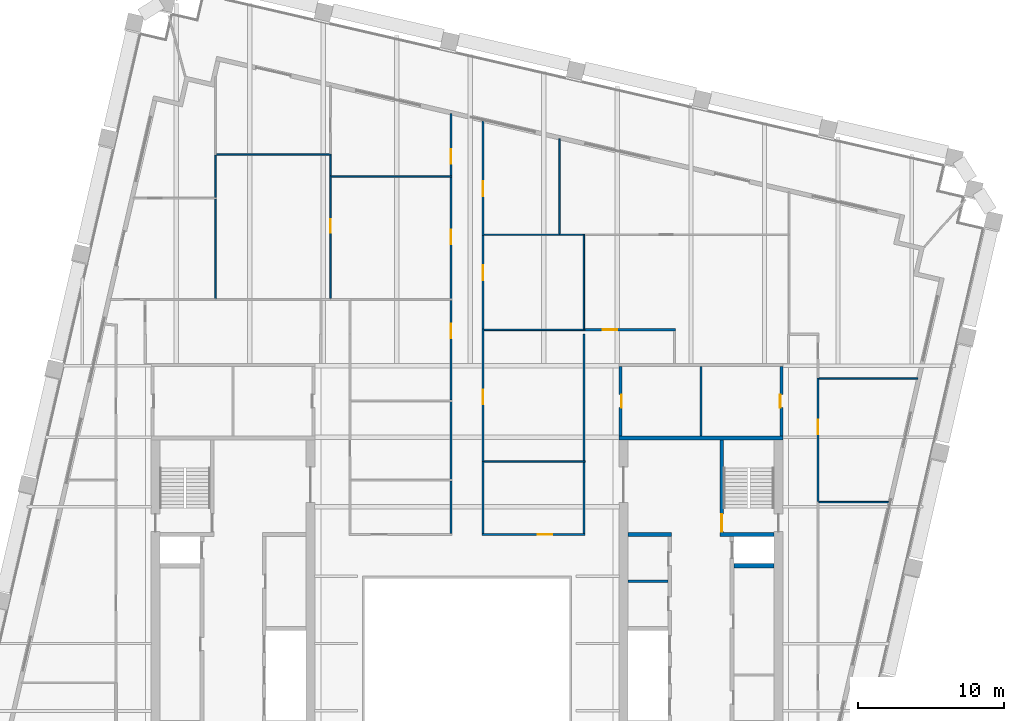
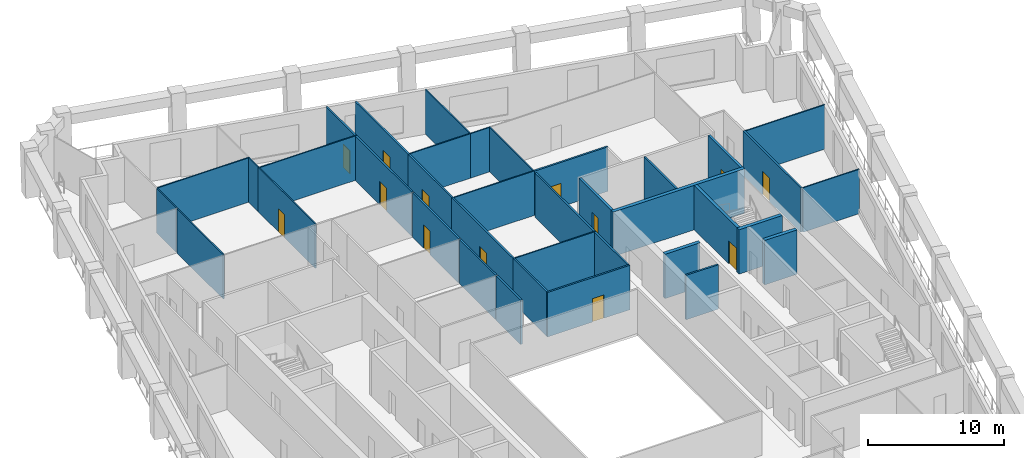
# One storey, part 8 of 11: 37 walls, 13 doors, 13 openings.
"""IFC4 building model written with IfcOpenShell, lengths in metres."""

from ifc_helpers import new_model, si_unit, direction, frame, frame_2d, origin, place, context, subcontext, project, spatial, rectangle, extrude, material, layer, layer_set, type_object, element, fill, save


model = new_model("IFC4")

# Units and contexts
model_context = context("Model", 3, precision=1e-05, world=origin(), true_north=direction((0.0, 1.0)))
body_context = subcontext(model_context, "Body", "Model", "MODEL_VIEW")
ifc_project = project(units=[si_unit("LENGTHUNIT", "METRE"), si_unit("AREAUNIT", "SQUARE_METRE"), si_unit("VOLUMEUNIT", "CUBIC_METRE"), si_unit("PLANEANGLEUNIT", "RADIAN"), si_unit("MASSUNIT", "GRAM", prefix="KILO")], contexts=[model_context])

# Site, building, storey
site_placement = place(None, origin())
site = spatial("IfcSite", under=ifc_project, at=site_placement, CompositionType="ELEMENT")
building_placement = place(site_placement, origin())
building = spatial("IfcBuilding", under=site, at=building_placement, Name="Ogive Exchange Tower", CompositionType="ELEMENT")
storey_placement = place(building_placement, frame((0.0, 0.0, 259.800048828125)))
storey = spatial("IfcBuildingStorey", under=building, at=storey_placement, Name="L56", CompositionType="ELEMENT", Elevation=259.800048828125)

# Walls
ifc_material_1 = material(Name="Gypsum board partition")
ifc_layer_1 = layer(ifc_material_1, 0.14990234375)
ifc_layer_set_1 = layer_set([ifc_layer_1], Name="Core room partition 150 gypsum")
wall_type_1 = type_object("IfcWallType", Name="Core room partition 150 gypsum", PredefinedType="PARTITIONING", material=ifc_layer_set_1)
wall_1_placement = place(storey_placement, frame((11.0, 15.800048828125, 0.0), z_axis=(0.0, 0.0, 1.0), x_axis=(1.0, 0.0, 0.0)))
element("IfcWall", 1, at=wall_1_placement, inside=storey, type_object=wall_type_1, Name="E row B bay partition 4-1", PredefinedType="PARTITIONING", context=body_context, shape_type="SweptSolid", body=[
    extrude(rectangle(XDim=2.75, YDim=0.14990234375, at=frame_2d((1.375, 0.0))), origin(), (0.0, 0.0, 1.0), 4.0),
])
wall_2_placement = place(storey_placement, frame((16.0, 25.75, 0.0), z_axis=(0.0, 0.0, 1.0), x_axis=(0.0, 1.0, 0.0)))
element("IfcWall", 2, at=wall_2_placement, inside=storey, type_object=wall_type_1, Name="E annex N column wall", PredefinedType="PARTITIONING", context=body_context, shape_type="SweptSolid", body=[
    extrude(rectangle(XDim=4.75, YDim=0.14990234375, at=frame_2d((2.375, 0.0))), origin(), (0.0, 0.0, 1.0), 4.0),
])
ifc_layer_2 = layer(ifc_material_1, 0.300048828125)
ifc_layer_set_2 = layer_set([ifc_layer_2], Name="Core room partition 300 gypsum")
wall_type_2 = type_object("IfcWallType", Name="Core room partition 300 gypsum", PredefinedType="PARTITIONING", material=ifc_layer_set_2)
wall_3_placement = place(storey_placement, frame((11.0, 19.0, 0.0), z_axis=(0.0, 0.0, 1.0), x_axis=(1.0, 0.0, 0.0)))
element("IfcWall", 3, at=wall_3_placement, inside=storey, type_object=wall_type_2, Name="E row B room end wall 7", PredefinedType="PARTITIONING", context=body_context, shape_type="SweptSolid", body=[
    extrude(rectangle(XDim=3.0, YDim=0.300048828125, at=frame_2d((1.5, 0.0))), origin(), (0.0, 0.0, 1.0), 4.0),
])
ifc_material_2 = material(Name="Fire partition EI 60 150")
ifc_layer_3 = layer(ifc_material_2, 0.14990234375)
ifc_layer_set_3 = layer_set([ifc_layer_3], Name="Fire partition EI 60 150")
wall_type_3 = type_object("IfcWallType", Name="Fire partition EI 60 150", PredefinedType="PARTITIONING", material=ifc_layer_set_3)
wall_4_placement = place(storey_placement, frame((-1.10009765625, 19.074951171875, 0.0), z_axis=(0.0, 0.0, 1.0), x_axis=(0.0, 1.0, 0.0)))
element("IfcWall", 4, at=wall_4_placement, inside=storey, type_object=wall_type_3, Name="L56-PWL-040", PredefinedType="PARTITIONING", context=body_context, shape_type="SweptSolid", body=[
    extrude(rectangle(XDim=3.594970703125, YDim=0.14990234375, at=frame_2d((1.79736328125, 0.0))), origin(), (0.0, 0.0, 1.0), 4.0),
])
wall_5_placement = place(storey_placement, frame((-1.10009765625, 22.77001953125, 0.0), z_axis=(0.0, 0.0, 1.0), x_axis=(0.0, 1.0, 0.0)))
element("IfcWall", 5, at=wall_5_placement, inside=storey, type_object=wall_type_3, Name="L56-PWL-041", PredefinedType="PARTITIONING", context=body_context, shape_type="SweptSolid", body=[
    extrude(rectangle(XDim=5.320068359375, YDim=0.14990234375, at=frame_2d((2.66015625, 0.0))), origin(), (0.0, 0.0, 1.0), 4.0),
])

# Wall, opening, door
wall_6_placement = place(storey_placement, frame((-1.10009765625, 28.18994140625, 0.0), z_axis=(0.0, 0.0, 1.0), x_axis=(0.0, 1.0, 0.0)))
wall_6 = element("IfcWall", 6, at=wall_6_placement, inside=storey, type_object=wall_type_3, Name="L56-PWL-042", PredefinedType="PARTITIONING", context=body_context, shape_type="SweptSolid", body=[
    extrude(rectangle(XDim=6.830078125, YDim=0.14990234375, at=frame_2d((3.4150390625, 0.0))), origin(), (0.0, 0.0, 1.0), 4.0),
])
opening_1_placement = place(wall_6_placement, frame((4.22998046875, 0.0, 0.0)))
opening_1 = element("IfcOpeningElement", 7, at=opening_1_placement, cuts=wall_6, Name="Opening L56-I06", PredefinedType="OPENING", context=body_context, shape_type="SweptSolid", body=[
    extrude(rectangle(XDim=1.0, YDim=2.10009765625, at=frame_2d((0.5, 1.050048828125))), frame((0.0, 0.0849609375, 0.0), z_axis=(0.0, -1.0, 0.0), x_axis=(1.0, 0.0, 0.0)), (0.0, 0.0, 1.0), 0.169921875),
])
ifc_material_3 = material(Name="Fire door FD 30S 1000 x 2100")
door_type_1 = type_object("IfcDoorType", Name="Fire door FD 30S 1000 x 2100", OperationType="NOTDEFINED", PredefinedType="DOOR", material=ifc_material_3)
door_1_placement = place(opening_1_placement, origin())
door_1 = element("IfcDoor", 8, at=door_1_placement, inside=storey, type_object=door_type_1, Name="L56-IDR-006", ObjectType="DT3", OperationType="SINGLE_SWING_LEFT", OverallHeight=2.10009765625, OverallWidth=1.0, PredefinedType="DOOR", context=body_context, shape_type="SweptSolid", body=[
    extrude(rectangle(XDim=1.0, YDim=2.10009765625, at=frame_2d((0.5, 1.050048828125))), frame((0.0, 0.02490234375, 0.0), z_axis=(0.0, -1.0, 0.0), x_axis=(1.0, 0.0, 0.0)), (0.0, 0.0, 1.0), 0.050048828125),
])
fill(opening_1, door_1)

wall_7_placement = place(storey_placement, frame((-1.10009765625, 35.1201171875, 0.0), z_axis=(0.0, 0.0, 1.0), x_axis=(0.0, 1.0, 0.0)))
wall_7 = element("IfcWall", 9, at=wall_7_placement, inside=storey, type_object=wall_type_3, Name="L56-PWL-043", PredefinedType="PARTITIONING", context=body_context, shape_type="SweptSolid", body=[
    extrude(rectangle(XDim=8.329833984375, YDim=0.14990234375, at=frame_2d((4.1650390625, 0.0))), origin(), (0.0, 0.0, 1.0), 4.0),
])
opening_2_placement = place(wall_7_placement, frame((3.72998046875, 0.0, 0.0)))
opening_2 = element("IfcOpeningElement", 10, at=opening_2_placement, cuts=wall_7, Name="Opening L56-I07", PredefinedType="OPENING", context=body_context, shape_type="SweptSolid", body=[
    extrude(rectangle(XDim=1.0, YDim=2.10009765625, at=frame_2d((0.5, 1.050048828125))), frame((0.0, 0.0849609375, 0.0), z_axis=(0.0, -1.0, 0.0), x_axis=(1.0, 0.0, 0.0)), (0.0, 0.0, 1.0), 0.169921875),
])
door_2_placement = place(opening_2_placement, origin())
door_2 = element("IfcDoor", 11, at=door_2_placement, inside=storey, type_object=door_type_1, Name="L56-IDR-007", ObjectType="DT3", OperationType="SINGLE_SWING_LEFT", OverallHeight=2.10009765625, OverallWidth=1.0, PredefinedType="DOOR", context=body_context, shape_type="SweptSolid", body=[
    extrude(rectangle(XDim=1.0, YDim=2.10009765625, at=frame_2d((0.5, 1.050048828125))), frame((0.0, 0.02490234375, 0.0), z_axis=(0.0, -1.0, 0.0), x_axis=(1.0, 0.0, 0.0)), (0.0, 0.0, 1.0), 0.050048828125),
])
fill(opening_2, door_2)

wall_8_placement = place(storey_placement, frame((-1.10009765625, 43.550048828125, 0.0), z_axis=(0.0, 0.0, 1.0), x_axis=(0.0, 1.0, 0.0)))
wall_8 = element("IfcWall", 12, at=wall_8_placement, inside=storey, type_object=wall_type_3, Name="L56-PWL-044", PredefinedType="PARTITIONING", context=body_context, shape_type="SweptSolid", body=[
    extrude(rectangle(XDim=4.22802734375, YDim=0.14990234375, at=frame_2d((2.114013671875, 0.0))), origin(), (0.0, 0.0, 1.0), 4.0),
])
opening_3_placement = place(wall_8_placement, frame((0.800048828125, 0.0, 0.0)))
opening_3 = element("IfcOpeningElement", 13, at=opening_3_placement, cuts=wall_8, Name="Opening L56-I08", PredefinedType="OPENING", context=body_context, shape_type="SweptSolid", body=[
    extrude(rectangle(XDim=1.0, YDim=2.10009765625, at=frame_2d((0.5, 1.050048828125))), frame((0.0, 0.0849609375, 0.0), z_axis=(0.0, -1.0, 0.0), x_axis=(1.0, 0.0, 0.0)), (0.0, 0.0, 1.0), 0.169921875),
])
door_3_placement = place(opening_3_placement, origin())
door_3 = element("IfcDoor", 14, at=door_3_placement, inside=storey, type_object=door_type_1, Name="L56-IDR-008", ObjectType="DT3", OperationType="SINGLE_SWING_RIGHT", OverallHeight=2.10009765625, OverallWidth=1.0, PredefinedType="DOOR", context=body_context, shape_type="SweptSolid", body=[
    extrude(rectangle(XDim=1.0, YDim=2.10009765625, at=frame_2d((0.5, 1.050048828125))), frame((0.0, 0.02490234375, 0.0), z_axis=(0.0, -1.0, 0.0), x_axis=(1.0, 0.0, 0.0)), (0.0, 0.0, 1.0), 0.050048828125),
])
fill(opening_3, door_3)

wall_9_placement = place(storey_placement, frame((1.02490234375, 19.0, 0.0), z_axis=(0.0, 0.0, 1.0), x_axis=(1.0, 0.0, 0.0)))
wall_9 = element("IfcWall", 15, at=wall_9_placement, inside=storey, type_object=wall_type_3, Name="L56-PWL-046", PredefinedType="PARTITIONING", context=body_context, shape_type="SweptSolid", body=[
    extrude(rectangle(XDim=7.050048828125, YDim=0.14990234375, at=frame_2d((3.52490234375, 0.0))), origin(), (0.0, 0.0, 1.0), 4.0),
])
opening_4_placement = place(wall_9_placement, frame((3.824951171875, 0.0, 0.0)))
opening_4 = element("IfcOpeningElement", 16, at=opening_4_placement, cuts=wall_9, Name="Opening L56-I20", PredefinedType="OPENING", context=body_context, shape_type="SweptSolid", body=[
    extrude(rectangle(XDim=1.0, YDim=2.10009765625, at=frame_2d((0.5, 1.050048828125))), frame((0.0, 0.0849609375, 0.0), z_axis=(0.0, -1.0, 0.0), x_axis=(1.0, 0.0, 0.0)), (0.0, 0.0, 1.0), 0.169921875),
])
door_4_placement = place(opening_4_placement, origin())
door_4 = element("IfcDoor", 17, at=door_4_placement, inside=storey, type_object=door_type_1, Name="L56-IDR-020", ObjectType="DT3", OperationType="SINGLE_SWING_LEFT", OverallHeight=2.10009765625, OverallWidth=1.0, PredefinedType="DOOR", context=body_context, shape_type="SweptSolid", body=[
    extrude(rectangle(XDim=1.0, YDim=2.10009765625, at=frame_2d((0.5, 1.050048828125))), frame((0.0, 0.02490234375, 0.0), z_axis=(0.0, -1.0, 0.0), x_axis=(1.0, 0.0, 0.0)), (0.0, 0.0, 1.0), 0.050048828125),
])
fill(opening_4, door_4)

# Wall
wall_10_placement = place(storey_placement, frame((1.10009765625, 24.0, 0.0), z_axis=(0.0, 0.0, 1.0), x_axis=(0.0, -1.0, 0.0)))
element("IfcWall", 18, at=wall_10_placement, inside=storey, type_object=wall_type_3, Name="L56-PWL-047", PredefinedType="PARTITIONING", context=body_context, shape_type="SweptSolid", body=[
    extrude(rectangle(XDim=4.925048828125, YDim=0.14990234375, at=frame_2d((2.46240234375, 0.0))), origin(), (0.0, 0.0, 1.0), 4.0),
])

# Wall, opening, door
wall_11_placement = place(storey_placement, frame((1.10009765625, 33.050048828125, 0.0), z_axis=(0.0, 0.0, 1.0), x_axis=(0.0, -1.0, 0.0)))
wall_11 = element("IfcWall", 19, at=wall_11_placement, inside=storey, type_object=wall_type_3, Name="L56-PWL-049", PredefinedType="PARTITIONING", context=body_context, shape_type="SweptSolid", body=[
    extrude(rectangle(XDim=9.050048828125, YDim=0.14990234375, at=frame_2d((4.52490234375, 0.0))), origin(), (0.0, 0.0, 1.0), 4.0),
])
opening_5_placement = place(wall_11_placement, frame((4.14990234375, 0.0, 0.0)))
opening_5 = element("IfcOpeningElement", 20, at=opening_5_placement, cuts=wall_11, Name="Opening L56-I21", PredefinedType="OPENING", context=body_context, shape_type="SweptSolid", body=[
    extrude(rectangle(XDim=1.0, YDim=2.10009765625, at=frame_2d((0.5, 1.050048828125))), frame((0.0, 0.0849609375, 0.0), z_axis=(0.0, -1.0, 0.0), x_axis=(1.0, 0.0, 0.0)), (0.0, 0.0, 1.0), 0.169921875),
])
door_5_placement = place(opening_5_placement, origin())
door_5 = element("IfcDoor", 21, at=door_5_placement, inside=storey, type_object=door_type_1, Name="L56-IDR-021", ObjectType="DT3", OperationType="SINGLE_SWING_RIGHT", OverallHeight=2.10009765625, OverallWidth=1.0, PredefinedType="DOOR", context=body_context, shape_type="SweptSolid", body=[
    extrude(rectangle(XDim=1.0, YDim=2.10009765625, at=frame_2d((0.5, 1.050048828125))), frame((0.0, 0.02490234375, 0.0), z_axis=(0.0, -1.0, 0.0), x_axis=(1.0, 0.0, 0.0)), (0.0, 0.0, 1.0), 0.050048828125),
])
fill(opening_5, door_5)

wall_12_placement = place(storey_placement, frame((1.10009765625, 39.449951171875, 0.0), z_axis=(0.0, 0.0, 1.0), x_axis=(0.0, -1.0, 0.0)))
wall_12 = element("IfcWall", 22, at=wall_12_placement, inside=storey, type_object=wall_type_3, Name="L56-PWL-050", PredefinedType="PARTITIONING", context=body_context, shape_type="SweptSolid", body=[
    extrude(rectangle(XDim=6.39990234375, YDim=0.14990234375, at=frame_2d((3.199951171875, 0.0))), origin(), (0.0, 0.0, 1.0), 4.0),
])
opening_6_placement = place(wall_12_placement, frame((2.050048828125, 0.0, 0.0)))
opening_6 = element("IfcOpeningElement", 23, at=opening_6_placement, cuts=wall_12, Name="Opening L56-I19", PredefinedType="OPENING", context=body_context, shape_type="SweptSolid", body=[
    extrude(rectangle(XDim=1.0, YDim=2.10009765625, at=frame_2d((0.5, 1.050048828125))), frame((0.0, 0.0849609375, 0.0), z_axis=(0.0, -1.0, 0.0), x_axis=(1.0, 0.0, 0.0)), (0.0, 0.0, 1.0), 0.169921875),
])
door_6_placement = place(opening_6_placement, origin())
door_6 = element("IfcDoor", 24, at=door_6_placement, inside=storey, type_object=door_type_1, Name="L56-IDR-019", ObjectType="DT3", OperationType="SINGLE_SWING_RIGHT", OverallHeight=2.10009765625, OverallWidth=1.0, PredefinedType="DOOR", context=body_context, shape_type="SweptSolid", body=[
    extrude(rectangle(XDim=1.0, YDim=2.10009765625, at=frame_2d((0.5, 1.050048828125))), frame((0.0, 0.02490234375, 0.0), z_axis=(0.0, -1.0, 0.0), x_axis=(1.0, 0.0, 0.0)), (0.0, 0.0, 1.0), 0.050048828125),
])
fill(opening_6, door_6)

wall_13_placement = place(storey_placement, frame((1.10009765625, 47.27001953125, 0.0), z_axis=(0.0, 0.0, 1.0), x_axis=(0.0, -1.0, 0.0)))
wall_13 = element("IfcWall", 25, at=wall_13_placement, inside=storey, type_object=wall_type_3, Name="L56-PWL-051", PredefinedType="PARTITIONING", context=body_context, shape_type="SweptSolid", body=[
    extrude(rectangle(XDim=7.820068359375, YDim=0.14990234375, at=frame_2d((3.91015625, 0.0))), origin(), (0.0, 0.0, 1.0), 4.0),
])
opening_7_placement = place(wall_13_placement, frame((4.1201171875, 0.0, 0.0)))
opening_7 = element("IfcOpeningElement", 26, at=opening_7_placement, cuts=wall_13, Name="Opening L56-I17", PredefinedType="OPENING", context=body_context, shape_type="SweptSolid", body=[
    extrude(rectangle(XDim=1.0, YDim=2.10009765625, at=frame_2d((0.5, 1.050048828125))), frame((0.0, 0.0849609375, 0.0), z_axis=(0.0, -1.0, 0.0), x_axis=(1.0, 0.0, 0.0)), (0.0, 0.0, 1.0), 0.169921875),
])
door_7_placement = place(opening_7_placement, origin())
door_7 = element("IfcDoor", 27, at=door_7_placement, inside=storey, type_object=door_type_1, Name="L56-IDR-017", ObjectType="DT3", OperationType="SINGLE_SWING_LEFT", OverallHeight=2.10009765625, OverallWidth=1.0, PredefinedType="DOOR", context=body_context, shape_type="SweptSolid", body=[
    extrude(rectangle(XDim=1.0, YDim=2.10009765625, at=frame_2d((0.5, 1.050048828125))), frame((0.0, 0.02490234375, 0.0), z_axis=(0.0, -1.0, 0.0), x_axis=(1.0, 0.0, 0.0)), (0.0, 0.0, 1.0), 0.050048828125),
])
fill(opening_7, door_7)

# Walls
wall_14_placement = place(storey_placement, frame((8.0, 19.074951171875, 0.0), z_axis=(0.0, 0.0, 1.0), x_axis=(0.0, 1.0, 0.0)))
element("IfcWall", 28, at=wall_14_placement, inside=storey, type_object=wall_type_3, Name="L56-PWL-054", PredefinedType="PARTITIONING", context=body_context, shape_type="SweptSolid", body=[
    extrude(rectangle(XDim=4.875, YDim=0.14990234375, at=frame_2d((2.4375, 0.0))), origin(), (0.0, 0.0, 1.0), 4.0),
])
wall_15_placement = place(storey_placement, frame((8.0, 24.050048828125, 0.0), z_axis=(0.0, 0.0, 1.0), x_axis=(0.0, 1.0, 0.0)))
element("IfcWall", 29, at=wall_15_placement, inside=storey, type_object=wall_type_3, Name="L56-PWL-055", PredefinedType="PARTITIONING", context=body_context, shape_type="SweptSolid", body=[
    extrude(rectangle(XDim=8.64990234375, YDim=0.14990234375, at=frame_2d((4.324951171875, 0.0))), origin(), (0.0, 0.0, 1.0), 4.0),
])

# Wall, opening, door
wall_16_placement = place(storey_placement, frame((8.010009765625, 33.0, 0.0), z_axis=(0.0, 0.0, 1.0), x_axis=(1.0, 0.0, 0.0)))
wall_16 = element("IfcWall", 30, at=wall_16_placement, inside=storey, type_object=wall_type_3, Name="L56-PWL-059", PredefinedType="PARTITIONING", context=body_context, shape_type="SweptSolid", body=[
    extrude(rectangle(XDim=6.2548828125, YDim=0.14990234375, at=frame_2d((3.12744140625, 0.0))), origin(), (0.0, 0.0, 1.0), 4.0),
])
opening_8_placement = place(wall_16_placement, frame((1.280029296875, 0.0, 0.0)))
opening_8 = element("IfcOpeningElement", 31, at=opening_8_placement, cuts=wall_16, Name="Opening L56-I18", PredefinedType="OPENING", context=body_context, shape_type="SweptSolid", body=[
    extrude(rectangle(XDim=1.0, YDim=2.10009765625, at=frame_2d((0.5, 1.050048828125))), frame((0.0, 0.0849609375, 0.0), z_axis=(0.0, -1.0, 0.0), x_axis=(1.0, 0.0, 0.0)), (0.0, 0.0, 1.0), 0.169921875),
])
door_8_placement = place(opening_8_placement, origin())
door_8 = element("IfcDoor", 32, at=door_8_placement, inside=storey, type_object=door_type_1, Name="L56-IDR-018", ObjectType="DT3", OperationType="SINGLE_SWING_RIGHT", OverallHeight=2.10009765625, OverallWidth=1.0, PredefinedType="DOOR", context=body_context, shape_type="SweptSolid", body=[
    extrude(rectangle(XDim=1.0, YDim=2.10009765625, at=frame_2d((0.5, 1.050048828125))), frame((0.0, 0.02490234375, 0.0), z_axis=(0.0, -1.0, 0.0), x_axis=(1.0, 0.0, 0.0)), (0.0, 0.0, 1.0), 0.050048828125),
])
fill(opening_8, door_8)

wall_17_placement = place(storey_placement, frame((24.0, 29.7099609375, 0.0), z_axis=(0.0, 0.0, 1.0), x_axis=(0.0, -1.0, 0.0)))
wall_17 = element("IfcWall", 33, at=wall_17_placement, inside=storey, type_object=wall_type_3, Name="L56-PWL-076", PredefinedType="PARTITIONING", context=body_context, shape_type="SweptSolid", body=[
    extrude(rectangle(XDim=8.449951171875, YDim=0.14990234375, at=frame_2d((4.22509765625, 0.0))), origin(), (0.0, 0.0, 1.0), 4.0),
])
opening_9_placement = place(wall_17_placement, frame((2.85009765625, 0.0, 0.0)))
opening_9 = element("IfcOpeningElement", 34, at=opening_9_placement, cuts=wall_17, Name="Opening L56-I23", PredefinedType="OPENING", context=body_context, shape_type="SweptSolid", body=[
    extrude(rectangle(XDim=1.0, YDim=2.10009765625, at=frame_2d((0.5, 1.050048828125))), frame((0.0, 0.0849609375, 0.0), z_axis=(0.0, -1.0, 0.0), x_axis=(1.0, 0.0, 0.0)), (0.0, 0.0, 1.0), 0.169921875),
])
door_9_placement = place(opening_9_placement, origin())
door_9 = element("IfcDoor", 35, at=door_9_placement, inside=storey, type_object=door_type_1, Name="L56-IDR-023", ObjectType="DT3", OperationType="SINGLE_SWING_RIGHT", OverallHeight=2.10009765625, OverallWidth=1.0, PredefinedType="DOOR", context=body_context, shape_type="SweptSolid", body=[
    extrude(rectangle(XDim=1.0, YDim=2.10009765625, at=frame_2d((0.5, 1.050048828125))), frame((0.0, 0.02490234375, 0.0), z_axis=(0.0, -1.0, 0.0), x_axis=(1.0, 0.0, 0.0)), (0.0, 0.0, 1.0), 0.050048828125),
])
fill(opening_9, door_9)

# Walls
ifc_material_4 = material(Name="Partition 100 gypsum")
ifc_layer_4 = layer(ifc_material_4, 0.10009765625)
ifc_layer_set_4 = layer_set([ifc_layer_4], Name="Partition 100 gypsum")
wall_type_4 = type_object("IfcWallType", Name="Partition 100 gypsum", PredefinedType="PARTITIONING", material=ifc_layer_set_4)
wall_18_placement = place(storey_placement, frame((-17.18994140625, 35.1201171875, 0.0), z_axis=(0.0, 0.0, 1.0), x_axis=(0.0, 1.0, 0.0)))
element("IfcWall", 36, at=wall_18_placement, inside=storey, type_object=wall_type_4, Name="L56-PWL-017", PredefinedType="PARTITIONING", context=body_context, shape_type="SweptSolid", body=[
    extrude(rectangle(XDim=6.829833984375, YDim=0.10009765625, at=frame_2d((3.4150390625, 0.0))), origin(), (0.0, 0.0, 1.0), 4.0),
])
wall_19_placement = place(storey_placement, frame((-17.18994140625, 42.050048828125, 0.0), z_axis=(0.0, 0.0, 1.0), x_axis=(0.0, 1.0, 0.0)))
element("IfcWall", 37, at=wall_19_placement, inside=storey, type_object=wall_type_4, Name="L56-PWL-019", PredefinedType="PARTITIONING", context=body_context, shape_type="SweptSolid", body=[
    extrude(rectangle(XDim=2.89990234375, YDim=0.10009765625, at=frame_2d((1.449951171875, 0.0))), origin(), (0.0, 0.0, 1.0), 4.0),
])
wall_20_placement = place(storey_placement, frame((-17.139892578125, 45.0, 0.0), z_axis=(0.0, 0.0, 1.0), x_axis=(1.0, 0.0, 0.0)))
element("IfcWall", 38, at=wall_20_placement, inside=storey, type_object=wall_type_4, Name="L56-PWL-021", PredefinedType="PARTITIONING", context=body_context, shape_type="SweptSolid", body=[
    extrude(rectangle(XDim=7.849853515625, YDim=0.10009765625, at=frame_2d((3.9248046875, 0.0))), origin(), (0.0, 0.0, 1.0), 4.0),
])

# Wall, opening, door
wall_21_placement = place(storey_placement, frame((-9.340087890625, 35.14501953125, 0.0), z_axis=(0.0, 0.0, 1.0), x_axis=(0.0, 1.0, 0.0)))
wall_21 = element("IfcWall", 39, at=wall_21_placement, inside=storey, type_object=wall_type_4, Name="L56-PWL-027", PredefinedType="PARTITIONING", context=body_context, shape_type="SweptSolid", body=[
    extrude(rectangle(XDim=8.405029296875, YDim=0.10009765625, at=frame_2d((4.20263671875, 0.0))), origin(), (0.0, 0.0, 1.0), 4.0),
])
opening_10_placement = place(wall_21_placement, frame((4.5048828125, 0.0, 0.0)))
opening_10 = element("IfcOpeningElement", 40, at=opening_10_placement, cuts=wall_21, Name="Opening L56-I09", PredefinedType="OPENING", context=body_context, shape_type="SweptSolid", body=[
    extrude(rectangle(XDim=0.89990234375, YDim=2.10009765625, at=frame_2d((0.449951171875, 1.050048828125))), frame((0.0, 0.06005859375, 0.0), z_axis=(0.0, -1.0, 0.0), x_axis=(1.0, 0.0, 0.0)), (0.0, 0.0, 1.0), 0.1201171875),
])
ifc_material_5 = material(Name="Door 900 x 2100")
door_type_2 = type_object("IfcDoorType", Name="Door 900 x 2100", OperationType="NOTDEFINED", PredefinedType="DOOR", material=ifc_material_5)
door_10_placement = place(opening_10_placement, frame((0.89990234375, 0.0, 0.0), z_axis=(0.0, 0.0, 1.0), x_axis=(-1.0, 0.0, 0.0)))
door_10 = element("IfcDoor", 41, at=door_10_placement, inside=storey, type_object=door_type_2, Name="L56-IDR-009", ObjectType="DT1", OperationType="SINGLE_SWING_RIGHT", OverallHeight=2.10009765625, OverallWidth=0.89990234375, PredefinedType="DOOR", context=body_context, shape_type="SweptSolid", body=[
    extrude(rectangle(XDim=0.89990234375, YDim=2.10009765625, at=frame_2d((0.449951171875, 1.050048828125))), frame((0.0, 0.02490234375, 0.0), z_axis=(0.0, -1.0, 0.0), x_axis=(1.0, 0.0, 0.0)), (0.0, 0.0, 1.0), 0.050048828125),
])
fill(opening_10, door_10)

# Walls
wall_22_placement = place(storey_placement, frame((-9.340087890625, 43.550048828125, 0.0), z_axis=(0.0, 0.0, 1.0), x_axis=(0.0, 1.0, 0.0)))
element("IfcWall", 42, at=wall_22_placement, inside=storey, type_object=wall_type_4, Name="L56-PWL-029", PredefinedType="PARTITIONING", context=body_context, shape_type="SweptSolid", body=[
    extrude(rectangle(XDim=1.39990234375, YDim=0.10009765625, at=frame_2d((0.699951171875, 0.0))), origin(), (0.0, 0.0, 1.0), 4.0),
])
wall_23_placement = place(storey_placement, frame((-9.2900390625, 43.5, 0.0), z_axis=(0.0, 0.0, 1.0), x_axis=(1.0, 0.0, 0.0)))
element("IfcWall", 43, at=wall_23_placement, inside=storey, type_object=wall_type_4, Name="L56-PWL-030", PredefinedType="PARTITIONING", context=body_context, shape_type="SweptSolid", body=[
    extrude(rectangle(XDim=8.26513671875, YDim=0.10009765625, at=frame_2d((4.132568359375, 0.0))), origin(), (0.0, 0.0, 1.0), 4.0),
])
wall_24_placement = place(storey_placement, frame((1.175048828125, 24.0, 0.0), z_axis=(0.0, 0.0, 1.0), x_axis=(1.0, 0.0, 0.0)))
element("IfcWall", 44, at=wall_24_placement, inside=storey, type_object=wall_type_4, Name="L56-PWL-048", PredefinedType="PARTITIONING", context=body_context, shape_type="SweptSolid", body=[
    extrude(rectangle(XDim=6.89990234375, YDim=0.10009765625, at=frame_2d((3.449951171875, 0.0))), origin(), (0.0, 0.0, 1.0), 4.0),
])
wall_25_placement = place(storey_placement, frame((6.389892578125, 39.5, 0.0), z_axis=(0.0, 0.0, 1.0), x_axis=(-1.0, 0.0, 0.0)))
element("IfcWall", 45, at=wall_25_placement, inside=storey, type_object=wall_type_4, Name="L56-PWL-052", PredefinedType="PARTITIONING", context=body_context, shape_type="SweptSolid", body=[
    extrude(rectangle(XDim=5.21484375, YDim=0.10009765625, at=frame_2d((2.607421875, 0.0))), origin(), (0.0, 0.0, 1.0), 4.0),
])
wall_26_placement = place(storey_placement, frame((6.340087890625, 39.550048828125, 0.0), z_axis=(0.0, 0.0, 1.0), x_axis=(0.0, 1.0, 0.0)))
element("IfcWall", 46, at=wall_26_placement, inside=storey, type_object=wall_type_4, Name="L56-PWL-053", PredefinedType="PARTITIONING", context=body_context, shape_type="SweptSolid", body=[
    extrude(rectangle(XDim=6.510986328125, YDim=0.10009765625, at=frame_2d((3.25537109375, 0.0))), origin(), (0.0, 0.0, 1.0), 4.0),
])
wall_27_placement = place(storey_placement, frame((8.050048828125, 33.0, 0.0), z_axis=(0.0, 0.0, 1.0), x_axis=(-1.0, 0.0, 0.0)))
element("IfcWall", 47, at=wall_27_placement, inside=storey, type_object=wall_type_4, Name="L56-PWL-056", PredefinedType="PARTITIONING", context=body_context, shape_type="SweptSolid", body=[
    extrude(rectangle(XDim=6.875, YDim=0.10009765625, at=frame_2d((3.4375, 0.0))), origin(), (0.0, 0.0, 1.0), 4.0),
])
wall_28_placement = place(storey_placement, frame((8.0, 33.050048828125, 0.0), z_axis=(0.0, 0.0, 1.0), x_axis=(0.0, 1.0, 0.0)))
element("IfcWall", 48, at=wall_28_placement, inside=storey, type_object=wall_type_4, Name="L56-PWL-057", PredefinedType="PARTITIONING", context=body_context, shape_type="SweptSolid", body=[
    extrude(rectangle(XDim=6.5, YDim=0.10009765625, at=frame_2d((3.25, 0.0))), origin(), (0.0, 0.0, 1.0), 4.0),
])
wall_29_placement = place(storey_placement, frame((7.949951171875, 39.5, 0.0), z_axis=(0.0, 0.0, 1.0), x_axis=(-1.0, 0.0, 0.0)))
element("IfcWall", 49, at=wall_29_placement, inside=storey, type_object=wall_type_4, Name="L56-PWL-058", PredefinedType="PARTITIONING", context=body_context, shape_type="SweptSolid", body=[
    extrude(rectangle(XDim=1.60986328125, YDim=0.10009765625, at=frame_2d((0.804931640625, 0.0))), origin(), (0.0, 0.0, 1.0), 4.0),
])
wall_30_placement = place(storey_placement, frame((24.074951171875, 21.2099609375, 0.0), z_axis=(0.0, 0.0, 1.0), x_axis=(1.0, 0.0, 0.0)))
element("IfcWall", 50, at=wall_30_placement, inside=storey, type_object=wall_type_4, Name="L56-PWL-075", PredefinedType="PARTITIONING", context=body_context, shape_type="SweptSolid", body=[
    extrude(rectangle(XDim=4.804931640625, YDim=0.10009765625, at=frame_2d((2.40234375, 0.0))), origin(), (0.0, 0.0, 1.0), 4.0),
])
wall_31_placement = place(storey_placement, frame((24.074951171875, 29.659912109375, 0.0), z_axis=(0.0, 0.0, 1.0), x_axis=(1.0, 0.0, 0.0)))
element("IfcWall", 51, at=wall_31_placement, inside=storey, type_object=wall_type_4, Name="L56-PWL-077", PredefinedType="PARTITIONING", context=body_context, shape_type="SweptSolid", body=[
    extrude(rectangle(XDim=6.756103515625, YDim=0.10009765625, at=frame_2d((3.3779296875, 0.0))), origin(), (0.0, 0.0, 1.0), 4.0),
])

# Wall, opening, door
ifc_material_6 = material(Name="Concrete C70/85", Category="concrete")
ifc_layer_5 = layer(ifc_material_6, 0.199951171875)
ifc_layer_set_5 = layer_set([ifc_layer_5], Name="RC core wall 200 C70/85")
wall_type_5 = type_object("IfcWallType", Name="RC core wall 200 C70/85", PredefinedType="SHEAR", material=ifc_layer_set_5)
wall_32_placement = place(storey_placement, frame((21.5, 25.75, 0.0), z_axis=(0.0, 0.0, 1.0), x_axis=(0.0, 1.0, 0.0)))
wall_32 = element("IfcWall", 52, at=wall_32_placement, inside=storey, type_object=wall_type_5, Name="E annex N outer wall", PredefinedType="SHEAR", context=body_context, shape_type="SweptSolid", body=[
    extrude(rectangle(XDim=4.75, YDim=0.199951171875, at=frame_2d((2.375, 0.0))), origin(), (0.0, 0.0, 1.0), 4.0),
])
opening_11_placement = place(wall_32_placement, frame((1.925048828125, 0.0, 0.0)))
opening_11 = element("IfcOpeningElement", 53, at=opening_11_placement, cuts=wall_32, Name="Opening L56-C37", PredefinedType="OPENING", context=body_context, shape_type="SweptSolid", body=[
    extrude(rectangle(XDim=0.89990234375, YDim=2.10009765625, at=frame_2d((0.449951171875, 1.050048828125))), frame((0.0, 0.10986328125, 0.0), z_axis=(0.0, -1.0, 0.0), x_axis=(1.0, 0.0, 0.0)), (0.0, 0.0, 1.0), 0.219970703125),
])
ifc_material_7 = material(Name="Steel fire door", Category="steel")
door_type_3 = type_object("IfcDoorType", Name="Riser door FD60 900 x 2100", OperationType="NOTDEFINED", PredefinedType="DOOR", material=ifc_material_7)
door_11_placement = place(opening_11_placement, frame((0.89990234375, 0.14990234375, 0.0), z_axis=(0.0, 0.0, 1.0), x_axis=(-1.0, 0.0, 0.0)))
door_11 = element("IfcDoor", 54, at=door_11_placement, inside=storey, type_object=door_type_3, Name="Riser door", ObjectType="CD2", OperationType="SINGLE_SWING_LEFT", OverallHeight=2.10009765625, OverallWidth=0.89990234375, PredefinedType="DOOR", context=body_context, shape_type="SweptSolid", body=[
    extrude(rectangle(XDim=0.89990234375, YDim=2.10009765625, at=frame_2d((0.449951171875, 1.050048828125))), frame((0.0, 0.10009765625, 0.0), z_axis=(0.0, -1.0, 0.0), x_axis=(1.0, 0.0, 0.0)), (0.0, 0.0, 1.0), 0.050048828125),
])
fill(opening_11, door_11)

wall_33_placement = place(storey_placement, frame((10.5, 25.75, 0.0), z_axis=(0.0, 0.0, 1.0), x_axis=(0.0, 1.0, 0.0)))
wall_33 = element("IfcWall", 55, at=wall_33_placement, inside=storey, type_object=wall_type_5, Name="E annex N inner wall", PredefinedType="SHEAR", context=body_context, shape_type="SweptSolid", body=[
    extrude(rectangle(XDim=4.75, YDim=0.199951171875, at=frame_2d((2.375, 0.0))), origin(), (0.0, 0.0, 1.0), 4.0),
])
opening_12_placement = place(wall_33_placement, frame((1.925048828125, 0.0, 0.0)))
opening_12 = element("IfcOpeningElement", 56, at=opening_12_placement, cuts=wall_33, Name="Opening L56-C38", PredefinedType="OPENING", context=body_context, shape_type="SweptSolid", body=[
    extrude(rectangle(XDim=0.89990234375, YDim=2.10009765625, at=frame_2d((0.449951171875, 1.050048828125))), frame((0.0, 0.10986328125, 0.0), z_axis=(0.0, -1.0, 0.0), x_axis=(1.0, 0.0, 0.0)), (0.0, 0.0, 1.0), 0.219970703125),
])
door_12_placement = place(opening_12_placement, origin())
door_12 = element("IfcDoor", 57, at=door_12_placement, inside=storey, type_object=door_type_3, Name="Riser door", ObjectType="CD2", OperationType="SINGLE_SWING_LEFT", OverallHeight=2.10009765625, OverallWidth=0.89990234375, PredefinedType="DOOR", context=body_context, shape_type="SweptSolid", body=[
    extrude(rectangle(XDim=0.89990234375, YDim=2.10009765625, at=frame_2d((0.449951171875, 1.050048828125))), frame((0.0, -0.0498046875, 0.0), z_axis=(0.0, -1.0, 0.0), x_axis=(1.0, 0.0, 0.0)), (0.0, 0.0, 1.0), 0.050048828125),
])
fill(opening_12, door_12)

ifc_layer_6 = layer(ifc_material_6, 0.25)
ifc_layer_set_6 = layer_set([ifc_layer_6], Name="RC core wall 250 C70/85")
wall_type_6 = type_object("IfcWallType", Name="RC core wall 250 C70/85", PredefinedType="SHEAR", material=ifc_layer_set_6)
wall_34_placement = place(storey_placement, frame((17.425048828125, 19.14990234375, 0.0), z_axis=(0.0, 0.0, 1.0), x_axis=(0.0, 1.0, 0.0)))
wall_34 = element("IfcWall", 58, at=wall_34_placement, inside=storey, type_object=wall_type_6, Name="E stair N front wall", PredefinedType="SHEAR", context=body_context, shape_type="SweptSolid", body=[
    extrude(rectangle(XDim=6.300048828125, YDim=0.25, at=frame_2d((3.14990234375, 0.0))), origin(), (0.0, 0.0, 1.0), 4.0),
])
opening_13_placement = place(wall_34_placement, frame((0.050048828125, 0.0, 0.0)))
opening_13 = element("IfcOpeningElement", 59, at=opening_13_placement, cuts=wall_34, Name="Opening L56-C33", PredefinedType="OPENING", context=body_context, shape_type="SweptSolid", body=[
    extrude(rectangle(XDim=1.199951171875, YDim=2.10009765625, at=frame_2d((0.60009765625, 1.050048828125))), frame((0.0, 0.135009765625, 0.0), z_axis=(0.0, -1.0, 0.0), x_axis=(1.0, 0.0, 0.0)), (0.0, 0.0, 1.0), 0.27001953125),
])
door_type_4 = type_object("IfcDoorType", Name="Stair door FD90 1200 x 2100", OperationType="NOTDEFINED", PredefinedType="DOOR", material=ifc_material_7)
door_13_placement = place(opening_13_placement, frame((1.199951171875, 0.0, 0.0), z_axis=(0.0, 0.0, 1.0), x_axis=(-1.0, 0.0, 0.0)))
door_13 = element("IfcDoor", 60, at=door_13_placement, inside=storey, type_object=door_type_4, Name="Stair door", ObjectType="CD5", OperationType="SINGLE_SWING_LEFT", OverallHeight=2.10009765625, OverallWidth=1.199951171875, PredefinedType="DOOR", context=body_context, shape_type="SweptSolid", body=[
    extrude(rectangle(XDim=1.199951171875, YDim=2.10009765625, at=frame_2d((0.60009765625, 1.050048828125))), frame((0.0, 0.02490234375, 0.0), z_axis=(0.0, -1.0, 0.0), x_axis=(1.0, 0.0, 0.0)), (0.0, 0.0, 1.0), 0.050048828125),
])
fill(opening_13, door_13)

# Walls
ifc_layer_7 = layer(ifc_material_6, 0.300048828125)
ifc_layer_set_7 = layer_set([ifc_layer_7], Name="RC core wall 300 C70/85")
wall_type_7 = type_object("IfcWallType", Name="RC core wall 300 C70/85", PredefinedType="SHEAR", material=ifc_layer_set_7)
wall_35_placement = place(storey_placement, frame((10.39990234375, 25.60009765625, 0.0), z_axis=(0.0, 0.0, 1.0), x_axis=(1.0, 0.0, 0.0)))
element("IfcWall", 61, at=wall_35_placement, inside=storey, type_object=wall_type_7, Name="E north end wall", PredefinedType="SHEAR", context=body_context, shape_type="SweptSolid", body=[
    extrude(rectangle(XDim=11.2001953125, YDim=0.300048828125, at=frame_2d((5.60009765625, 0.0))), origin(), (0.0, 0.0, 1.0), 4.0),
])
wall_36_placement = place(storey_placement, frame((17.300048828125, 19.0, 0.0), z_axis=(0.0, 0.0, 1.0), x_axis=(1.0, 0.0, 0.0)))
element("IfcWall", 62, at=wall_36_placement, inside=storey, type_object=wall_type_7, Name="E stair N south wall", PredefinedType="SHEAR", context=body_context, shape_type="SweptSolid", body=[
    extrude(rectangle(XDim=3.699951171875, YDim=0.300048828125, at=frame_2d((1.85009765625, 0.0))), origin(), (0.0, 0.0, 1.0), 4.0),
])
wall_37_placement = place(storey_placement, frame((18.25, 16.857177734375, 0.0), z_axis=(0.0, 0.0, 1.0), x_axis=(1.0, 0.0, 0.0)))
element("IfcWall", 63, at=wall_37_placement, inside=storey, type_object=wall_type_7, Name="E row A divider 6", PredefinedType="SHEAR", context=body_context, shape_type="SweptSolid", body=[
    extrude(rectangle(XDim=2.75, YDim=0.300048828125, at=frame_2d((1.375, 0.0))), origin(), (0.0, 0.0, 1.0), 4.0),
])

save(model, "model.ifc")
